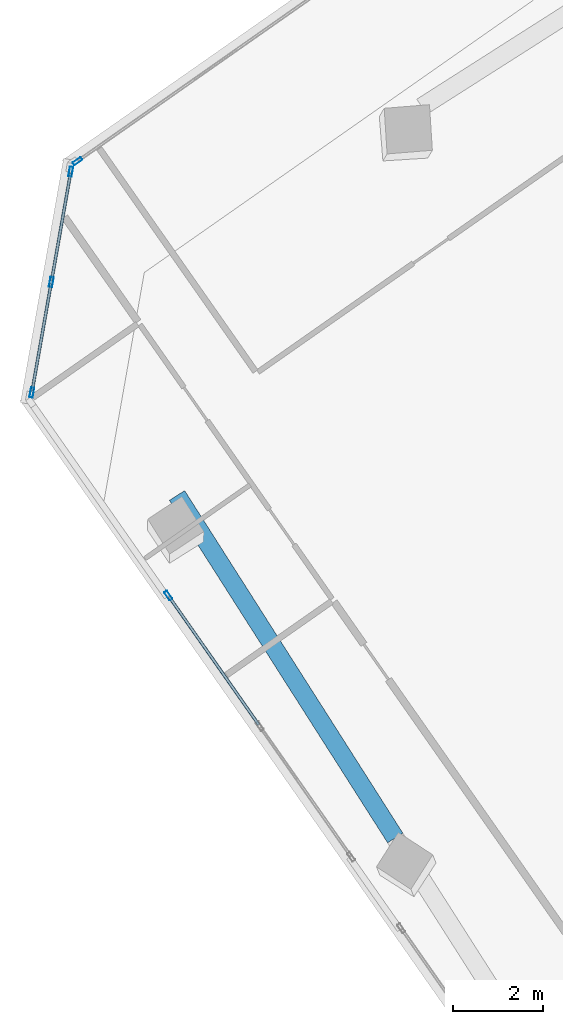
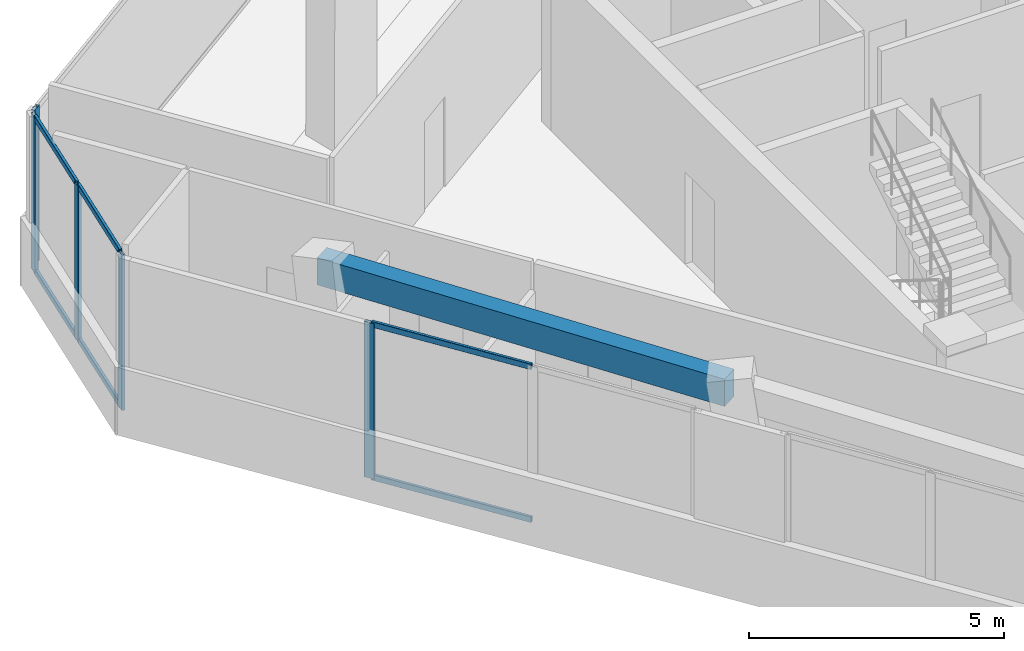
# One storey, part 4 of 15: 11 members, 1 beam, 3 elements without a shape of their own.
"""IFC4 building model written with IfcOpenShell, lengths in metres."""

import ifcopenshell
import ifcopenshell.guid

model = None  # the IFC model being written
_history = None  # IfcOwnerHistory: only IFC2X3 demands one
_inside = {}  # id of a spatial element -> (the spatial element, [elements in it])
_under = {}  # id of a project, library or spatial element -> (it, [spatial elements below it])
_declared = {}  # id of a project -> (the project, [libraries it declares])
_typed = {}  # id of a type object -> (the type object, [elements of that type])
_made_of = {}  # id of a material, layer set ... -> (it, [elements and type objects made of it])


def new_model(schema):
    """Start an empty IFC model of exactly this schema.

    Asked for "IFC4X3", IfcOpenShell would pick the latest addendum, in which some entities
    have other attributes; the version numbers below select the first issue.
    IFC2X3 requires an IfcOwnerHistory on every rooted entity: one is made here for all.
    """
    global model, _history
    if schema == "IFC4X3":
        model = ifcopenshell.file(schema_version=(4, 3, 0, 0))
    else:
        model = ifcopenshell.file(schema=schema)
    _inside.clear()
    _under.clear()
    _declared.clear()
    _typed.clear()
    _made_of.clear()
    _history = None
    if model.schema == "IFC2X3":
        org = make("IfcOrganization", Name="unknown")
        user = make(
            "IfcPersonAndOrganization",
            ThePerson=make("IfcPerson", FamilyName="unknown"),
            TheOrganization=org,
        )
        app = make(
            "IfcApplication",
            ApplicationDeveloper=org,
            Version="unknown",
            ApplicationFullName="unknown",
            ApplicationIdentifier="unknown",
        )
        _history = make(
            "IfcOwnerHistory",
            OwningUser=user,
            OwningApplication=app,
            ChangeAction="ADDED",
            CreationDate=0,
        )
    return model


def make(cls, **values):
    """One entity of the class cls with the attributes given. An attribute that is None is left unset."""
    return model.create_entity(
        cls, **{name: value for name, value in values.items() if value is not None}
    )


def rooted(cls, **values):
    """An entity with a GlobalId (a new one), such as an element, a storey or a relation."""
    return make(cls, GlobalId=ifcopenshell.guid.new(), OwnerHistory=_history, **values)


def si_unit(unit_type, name, prefix=None):
    """IfcSIUnit, for example si_unit("LENGTHUNIT", "METRE", prefix="MILLI")."""
    return make("IfcSIUnit", UnitType=unit_type, Prefix=prefix, Name=name)


def assignment(units):
    """IfcUnitAssignment: the units of a project."""
    return None if units is None else make("IfcUnitAssignment", Units=units)


def point(xyz):
    """IfcCartesianPoint."""
    return None if xyz is None else make("IfcCartesianPoint", Coordinates=xyz)


def direction(xyz):
    """IfcDirection."""
    return None if xyz is None else make("IfcDirection", DirectionRatios=xyz)


def frame(location, z_axis=None, x_axis=None):
    """IfcAxis2Placement3D, a coordinate frame: its origin and axes. An axis left out is left unset."""
    return make(
        "IfcAxis2Placement3D",
        Location=point(location),
        Axis=direction(z_axis),
        RefDirection=direction(x_axis),
    )


def frame_2d(location, x_axis=None):
    """IfcAxis2Placement2D, a coordinate frame in the plane: its origin and x axis."""
    return make(
        "IfcAxis2Placement2D", Location=point(location), RefDirection=direction(x_axis)
    )


def origin():
    """The frame at (0, 0, 0) with its axes left unset."""
    return frame((0.0, 0.0, 0.0))


def origin_2d():
    """The frame at (0, 0) in the plane with its x axis left unset."""
    return frame_2d((0.0, 0.0))


def place(relative_to, where):
    """IfcLocalPlacement: puts the frame where relative to a parent placement (None: the world)."""
    return make(
        "IfcLocalPlacement", PlacementRelTo=relative_to, RelativePlacement=where
    )


def context(
    kind, dimensions, precision=None, world=None, true_north=None, identifier=None
):
    """IfcGeometricRepresentationContext, for example the 3D "Model" context."""
    return make(
        "IfcGeometricRepresentationContext",
        ContextIdentifier=identifier,
        ContextType=kind,
        CoordinateSpaceDimension=dimensions,
        Precision=precision,
        WorldCoordinateSystem=world,
        TrueNorth=true_north,
    )


def subcontext(parent, identifier, kind, view, scale=None):
    """IfcGeometricRepresentationSubContext, for example "Body" below "Model"."""
    return make(
        "IfcGeometricRepresentationSubContext",
        ContextIdentifier=identifier,
        ContextType=kind,
        ParentContext=parent,
        TargetScale=scale,
        TargetView=view,
    )


def project(units=None, contexts=None):
    """IfcProject with its units and contexts."""
    return rooted(
        "IfcProject",
        Name="project",
        RepresentationContexts=contexts,
        UnitsInContext=assignment(units),
    )


def spatial(cls, under=None, at=None, **own):
    """A site, building, storey or space (cls), placed at a placement, below another one or the project."""
    s = rooted(cls, ObjectPlacement=at, **own)
    if under is not None:
        _under.setdefault(under.id(), (under, []))[1].append(s)
    return s


def profile(cls, at=None, kind="AREA", **sizes):
    """A parametric profile (cls). Its sizes go by their IFC names, for example OverallWidth=200.0."""
    return make(cls, ProfileType=kind, Position=at, **sizes)


def rectangle(**sizes):
    """IfcRectangleProfileDef."""
    return profile("IfcRectangleProfileDef", **sizes)


def hollow_rectangle(**sizes):
    """IfcRectangleHollowProfileDef."""
    return profile("IfcRectangleHollowProfileDef", **sizes)


def extrude(swept, where, along, depth):
    """IfcExtrudedAreaSolid: the profile swept, set in the frame where, extruded along a direction by depth."""
    return make(
        "IfcExtrudedAreaSolid",
        SweptArea=swept,
        Position=where,
        ExtrudedDirection=direction(along),
        Depth=depth,
    )


def shape(context_of_items, identifier, shape_type, items):
    """IfcShapeRepresentation: the items that make up one representation, for example the "Body"."""
    return make(
        "IfcShapeRepresentation",
        ContextOfItems=context_of_items,
        RepresentationIdentifier=identifier,
        RepresentationType=shape_type,
        Items=items,
    )


def source(mapping_origin, context_of_items, identifier, shape_type, items):
    """IfcRepresentationMap: a shape defined once, which mapped items show again and again."""
    return make(
        "IfcRepresentationMap",
        MappingOrigin=mapping_origin,
        MappedRepresentation=shape(context_of_items, identifier, shape_type, items),
    )


def transform(
    local_origin,
    x_axis=None,
    y_axis=None,
    z_axis=None,
    scale=None,
    scale2=None,
    scale3=None,
    uniform=True,
):
    """IfcCartesianTransformationOperator3D, or its non-uniform kind. x_axis, y_axis, z_axis: its Axis1, 2, 3."""
    if uniform:
        return make(
            "IfcCartesianTransformationOperator3D",
            Axis1=direction(x_axis),
            Axis2=direction(y_axis),
            LocalOrigin=point(local_origin),
            Scale=scale,
            Axis3=direction(z_axis),
        )
    return make(
        "IfcCartesianTransformationOperator3DnonUniform",
        Axis1=direction(x_axis),
        Axis2=direction(y_axis),
        LocalOrigin=point(local_origin),
        Scale=scale,
        Axis3=direction(z_axis),
        Scale2=scale2,
        Scale3=scale3,
    )


def mapped(mapping_source, mapping_target):
    """IfcMappedItem: shows the shape of a source again, moved by a transform."""
    return make(
        "IfcMappedItem", MappingSource=mapping_source, MappingTarget=mapping_target
    )


def material(Name=None, Category=None):
    """IfcMaterial."""
    return make("IfcMaterial", Name=Name, Category=Category)


def material_profile(
    of_material, cross_section, Name=None, Category=None, Priority=None
):
    """IfcMaterialProfile: a cross section and its material."""
    return make(
        "IfcMaterialProfile",
        Name=Name,
        Material=of_material,
        Profile=cross_section,
        Priority=Priority,
        Category=Category,
    )


def profile_set(profiles, Name=None, composite=None):
    """IfcMaterialProfileSet."""
    return make(
        "IfcMaterialProfileSet",
        Name=Name,
        MaterialProfiles=profiles,
        CompositeProfile=composite,
    )


def made_of(thing, what):
    """Note that an element or type object is made of a material, layer set ...; save() writes the relation."""
    if what is not None:
        _made_of.setdefault(what.id(), (what, []))[1].append(thing)
    return thing


def type_object(cls, material=None, **own):
    """A type object (cls), such as IfcWallType, which elements share."""
    return made_of(rooted(cls, **own), material)


def element(
    cls,
    number,
    at=None,
    inside=None,
    cuts=None,
    type_object=None,
    material=None,
    context=None,
    identifier="Body",
    shape_type=None,
    held_by="IfcProductDefinitionShape",
    body=None,
    shapes=None,
    **own,
):
    """One element of the class cls, such as IfcWall. Its Tag is "e" and its number.

    at: its placement. inside: the storey or other place that contains it. cuts: it is an
    opening in that element (IfcRelVoidsElement). A single representation is given by context,
    identifier, shape_type and body (its items); several are given by shapes. held_by: the class
    of the entity that holds the representations. save() writes the other relations.
    """
    e = rooted(cls, Tag="e%d" % number, ObjectPlacement=at, **own)
    if body is not None:
        shapes = [shape(context, identifier, shape_type, body)]
    if shapes is not None:
        e.Representation = make(held_by, Representations=shapes)
    if inside is not None:
        _inside.setdefault(inside.id(), (inside, []))[1].append(e)
    if cuts is not None:
        rooted(
            "IfcRelVoidsElement", RelatingBuildingElement=cuts, RelatedOpeningElement=e
        )
    if type_object is not None:
        _typed.setdefault(type_object.id(), (type_object, []))[1].append(e)
    return made_of(e, material)


def aggregate(whole, parts):
    """IfcRelAggregates: a whole, such as a stair, and the parts it consists of."""
    return rooted("IfcRelAggregates", RelatingObject=whole, RelatedObjects=parts)


def save(model, path):
    """Write the relations noted so far, then the file.

    IfcRelAggregates (storeys below a building ...), IfcRelContainedInSpatialStructure (elements
    in a storey), IfcRelDefinesByType, IfcRelAssociatesMaterial and IfcRelDeclares: one each for
    every whole, place, type object, material and project.
    """
    for whole, parts in _under.values():
        aggregate(whole, parts)
    for where, things in _inside.values():
        rooted(
            "IfcRelContainedInSpatialStructure",
            RelatedElements=things,
            RelatingStructure=where,
        )
    for kind, things in _typed.values():
        rooted("IfcRelDefinesByType", RelatedObjects=things, RelatingType=kind)
    for what, things in _made_of.values():
        rooted("IfcRelAssociatesMaterial", RelatedObjects=things, RelatingMaterial=what)
    for by, libraries in _declared.values():
        rooted("IfcRelDeclares", RelatingContext=by, RelatedDefinitions=libraries)
    model.write(path)


model = new_model("IFC4")

# Units and contexts
model_context = context("Model", 3, precision=1e-05, world=origin(), true_north=direction((0.0, 1.0)))
body_context = subcontext(model_context, "Body", "Model", "MODEL_VIEW")
ifc_project = project(units=[si_unit("LENGTHUNIT", "METRE"), si_unit("AREAUNIT", "SQUARE_METRE"), si_unit("VOLUMEUNIT", "CUBIC_METRE"), si_unit("PLANEANGLEUNIT", "RADIAN"), si_unit("MASSUNIT", "GRAM", prefix="KILO")], contexts=[model_context])

# Site, building, storey
site_placement = place(None, origin())
site = spatial("IfcSite", under=ifc_project, at=site_placement, CompositionType="ELEMENT")
building_placement = place(site_placement, origin())
building = spatial("IfcBuilding", under=site, at=building_placement, Name="Torre Montelarca", CompositionType="ELEMENT")
storey_placement = place(building_placement, frame((0.0, 0.0, 303.0)))
storey = spatial("IfcBuildingStorey", under=building, at=storey_placement, Name="L68", CompositionType="ELEMENT", Elevation=303.0)

# Beam
ifc_material_1 = material(Name="Concrete C40/50", Category="concrete")
ifc_material_profile_1 = material_profile(ifc_material_1, rectangle(XDim=0.39990234375, YDim=0.64990234375, at=origin_2d()), Name="RCB400X650", Category="concrete")
ifc_profile_set_1 = profile_set([ifc_material_profile_1], Name="Concrete C40/50")
beam_type = type_object("IfcBeamType", Name="BM-SP-RC650-EXT", PredefinedType="SPANDREL", material=ifc_profile_set_1)
shared_shape_1 = source(origin(), body_context, "Body", "SweptSolid", [
    extrude(rectangle(XDim=0.39990234375, YDim=0.64990234375, at=origin_2d()), origin(), (0.0, 0.0, 1.0), 9.0),
])
beam_placement = place(storey_placement, frame((0.27734375, 33.30078125, 3.635009765625), z_axis=(0.5372966855, -0.843393307865, 0.0), x_axis=(0.843393307865, 0.5372966855, 0.0)))
element("IfcBeam", 1, at=beam_placement, inside=storey, type_object=beam_type, Name="L68 Grid Girder X 9.0-18.0 at Y=14.8", PredefinedType="SPANDREL", context=body_context, shape_type="MappedRepresentation", body=[
    mapped(shared_shape_1, transform((0.0, 0.0, 0.0), scale=1.0)),
])

# Curtain wall, member
ifc_material_2 = material(Name="Insulated low-E laminated glass", Category="glass")
curtain_wall_type = type_object("IfcCurtainWallType", Name="CW-SYS-Z4", PredefinedType="USERDEFINED", material=ifc_material_2)
curtain_wall_1_placement = place(storey_placement, origin())
curtain_wall_1 = element("IfcCurtainWall", 2, at=curtain_wall_1_placement, inside=storey, type_object=curtain_wall_type, Name="L68 Curtain Wall Run CW-T3-L68-E01-B1", ObjectType="UNITISED GLAZING", PredefinedType="USERDEFINED")
ifc_material_3 = material(Name="Anodised aluminium AA 6063-T6", Category="aluminium")
ifc_material_profile_2 = material_profile(ifc_material_3, hollow_rectangle(XDim=0.074951171875, YDim=0.219970703125, WallThickness=0.0048828125, InnerFilletRadius=0.0048828125, OuterFilletRadius=0.010009765625, at=origin_2d()), Name="ALU75X220X5", Category="aluminium")
ifc_profile_set_2 = profile_set([ifc_material_profile_2], Name="Anodised aluminium AA 6063-T6")
member_type_1 = type_object("IfcMemberType", Name="CWM-ALU220", PredefinedType="MULLION", material=ifc_profile_set_2)
shared_shape_2 = source(origin(), body_context, "Body", "SweptSolid", [
    extrude(hollow_rectangle(XDim=0.074951171875, YDim=0.219970703125, WallThickness=0.0048828125, InnerFilletRadius=0.0048828125, OuterFilletRadius=0.010009765625, at=origin_2d()), origin(), (0.0, 0.0, 1.0), 3.719970703125),
])
member_1_placement = place(storey_placement, frame((0.083251953125, 31.082275390625, 0.0), z_axis=(0.0, 0.0, 1.0), x_axis=(0.819156903891, 0.573569496058, 0.0)))
member_1 = element("IfcMember", 3, at=member_1_placement, type_object=member_type_1, Name="CW mullion 1", PredefinedType="MULLION", context=body_context, shape_type="MappedRepresentation", body=[
    mapped(shared_shape_2, transform((0.0, 0.0, 0.0), scale=1.0)),
])

curtain_wall_2_placement = place(storey_placement, origin())
curtain_wall_2 = element("IfcCurtainWall", 4, at=curtain_wall_2_placement, inside=storey, type_object=curtain_wall_type, Name="L68 Curtain Wall Run CW-T3-L68-E10-B1", ObjectType="UNITISED GLAZING", PredefinedType="USERDEFINED")
member_2_placement = place(storey_placement, frame((-1.927734375, 40.70703125, 0.0), z_axis=(0.0, 0.0, 1.0), x_axis=(0.57357162512, -0.819155413128, 0.0)))
member_2 = element("IfcMember", 5, at=member_2_placement, type_object=member_type_1, Name="CW mullion 3", PredefinedType="MULLION", context=body_context, shape_type="MappedRepresentation", body=[
    mapped(shared_shape_2, transform((0.0, 0.0, 0.0), scale=1.0)),
])
aggregate(curtain_wall_2, [member_2])

# Curtain wall, members
curtain_wall_3_placement = place(storey_placement, origin())
curtain_wall_3 = element("IfcCurtainWall", 6, at=curtain_wall_3_placement, inside=storey, type_object=curtain_wall_type, Name="L68 Curtain Wall Run CW-T3-L68-E11-B1", ObjectType="UNITISED GLAZING", PredefinedType="USERDEFINED")
member_3_placement = place(storey_placement, frame((-2.076171875, 40.47412109375, 0.0), z_axis=(0.0, 0.0, 1.0), x_axis=(0.984810101776, -0.173634856638, 0.0)))
member_3 = element("IfcMember", 7, at=member_3_placement, type_object=member_type_1, Name="CW mullion 1", PredefinedType="MULLION", context=body_context, shape_type="MappedRepresentation", body=[
    mapped(shared_shape_2, transform((0.0, 0.0, 0.0), scale=1.0)),
])
member_4_placement = place(storey_placement, frame((-2.50732421875, 38.0283203125, 0.0), z_axis=(0.0, 0.0, 1.0), x_axis=(0.984810101776, -0.173634856638, 0.0)))
member_4 = element("IfcMember", 8, at=member_4_placement, type_object=member_type_1, Name="CW mullion 2", PredefinedType="MULLION", context=body_context, shape_type="MappedRepresentation", body=[
    mapped(shared_shape_2, transform((0.0, 0.0, 0.0), scale=1.0)),
])
member_5_placement = place(storey_placement, frame((-2.9384765625, 35.582275390625, 0.0), z_axis=(0.0, 0.0, 1.0), x_axis=(0.984810101776, -0.173634856638, 0.0)))
member_5 = element("IfcMember", 9, at=member_5_placement, type_object=member_type_1, Name="CW mullion 3", PredefinedType="MULLION", context=body_context, shape_type="MappedRepresentation", body=[
    mapped(shared_shape_2, transform((0.0, 0.0, 0.0), scale=1.0)),
])

# Member
ifc_material_profile_3 = material_profile(ifc_material_3, hollow_rectangle(XDim=0.06494140625, YDim=0.139892578125, WallThickness=0.00390625, InnerFilletRadius=0.00390625, OuterFilletRadius=0.008056640625, at=origin_2d()), Name="ALU65X140X4", Category="aluminium")
ifc_profile_set_3 = profile_set([ifc_material_profile_3], Name="Anodised aluminium AA 6063-T6")
member_type_2 = type_object("IfcMemberType", Name="CWT-ALU140", PredefinedType="USERDEFINED", material=ifc_profile_set_3)
shared_shape_3 = source(origin(), body_context, "Body", "SweptSolid", [
    extrude(hollow_rectangle(XDim=0.06494140625, YDim=0.139892578125, WallThickness=0.00390625, InnerFilletRadius=0.00390625, OuterFilletRadius=0.008056640625, at=origin_2d()), origin(), (0.0, 0.0, 1.0), 3.45751953125),
])
member_6_placement = place(storey_placement, frame((0.104736328125, 31.0517578125, 0.032470703125), z_axis=(0.573571335788, -0.819155615718, 0.0), x_axis=(0.819155615718, 0.573571335788, 0.0)))
member_6 = element("IfcMember", 10, at=member_6_placement, type_object=member_type_2, Name="CW transom 1.1", ObjectType="TRANSOM", PredefinedType="USERDEFINED", context=body_context, shape_type="MappedRepresentation", body=[
    mapped(shared_shape_3, transform((0.0, 0.0, 0.0), scale=1.0)),
])

member_7_placement = place(storey_placement, frame((0.104736328125, 31.0517578125, 3.6875), z_axis=(0.573571335788, -0.819155615718, 0.0), x_axis=(0.819155615718, 0.573571335788, 0.0)))
member_7 = element("IfcMember", 11, at=member_7_placement, type_object=member_type_2, Name="CW transom 1.2", ObjectType="TRANSOM", PredefinedType="USERDEFINED", context=body_context, shape_type="MappedRepresentation", body=[
    mapped(shared_shape_3, transform((0.0, 0.0, 0.0), scale=1.0)),
])

aggregate(curtain_wall_1, [member_1, member_6, member_7])

shared_shape_4 = source(origin(), body_context, "Body", "SweptSolid", [
    extrude(hollow_rectangle(XDim=0.06494140625, YDim=0.139892578125, WallThickness=0.00390625, InnerFilletRadius=0.00390625, OuterFilletRadius=0.008056640625, at=origin_2d()), origin(), (0.0, 0.0, 1.0), 2.40869140625),
])
member_8_placement = place(storey_placement, frame((-2.08251953125, 40.437255859375, 0.032470703125), z_axis=(-0.173629210537, -0.984811097241, 0.0), x_axis=(0.984811097241, -0.173629210537, 0.0)))
member_8 = element("IfcMember", 12, at=member_8_placement, type_object=member_type_2, Name="CW transom 1.1", ObjectType="TRANSOM", PredefinedType="USERDEFINED", context=body_context, shape_type="MappedRepresentation", body=[
    mapped(shared_shape_4, transform((0.0, 0.0, 0.0), scale=1.0)),
])

member_9_placement = place(storey_placement, frame((-2.08251953125, 40.437255859375, 3.6875), z_axis=(-0.173629210537, -0.984811097241, 0.0), x_axis=(0.984811097241, -0.173629210537, 0.0)))
member_9 = element("IfcMember", 13, at=member_9_placement, type_object=member_type_2, Name="CW transom 1.2", ObjectType="TRANSOM", PredefinedType="USERDEFINED", context=body_context, shape_type="MappedRepresentation", body=[
    mapped(shared_shape_4, transform((0.0, 0.0, 0.0), scale=1.0)),
])

member_10_placement = place(storey_placement, frame((-2.513916015625, 37.9912109375, 0.032470703125), z_axis=(-0.173629210537, -0.984811097241, 0.0), x_axis=(0.984811097241, -0.173629210537, 0.0)))
member_10 = element("IfcMember", 14, at=member_10_placement, type_object=member_type_2, Name="CW transom 2.1", ObjectType="TRANSOM", PredefinedType="USERDEFINED", context=body_context, shape_type="MappedRepresentation", body=[
    mapped(shared_shape_4, transform((0.0, 0.0, 0.0), scale=1.0)),
])

member_11_placement = place(storey_placement, frame((-2.513916015625, 37.9912109375, 3.6875), z_axis=(-0.173629210537, -0.984811097241, 0.0), x_axis=(0.984811097241, -0.173629210537, 0.0)))
member_11 = element("IfcMember", 15, at=member_11_placement, type_object=member_type_2, Name="CW transom 2.2", ObjectType="TRANSOM", PredefinedType="USERDEFINED", context=body_context, shape_type="MappedRepresentation", body=[
    mapped(shared_shape_4, transform((0.0, 0.0, 0.0), scale=1.0)),
])

aggregate(curtain_wall_3, [member_3, member_4, member_5, member_8, member_9, member_10, member_11])

save(model, "model.ifc")
